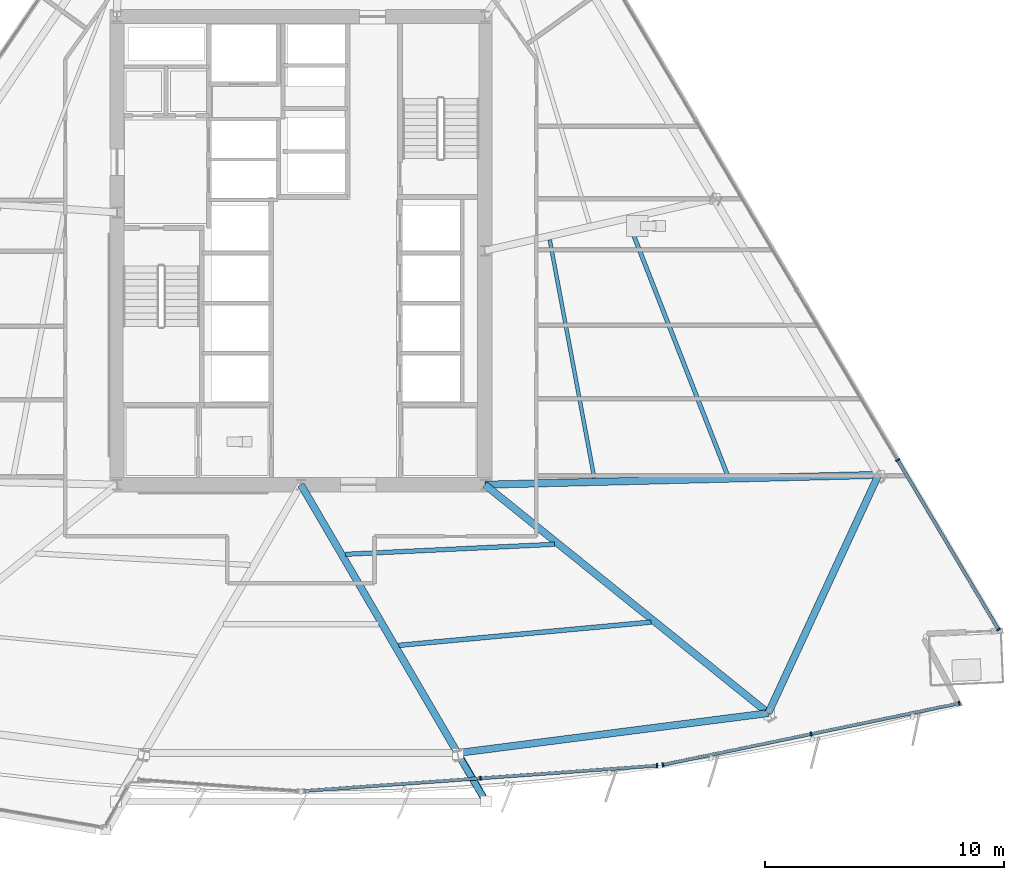
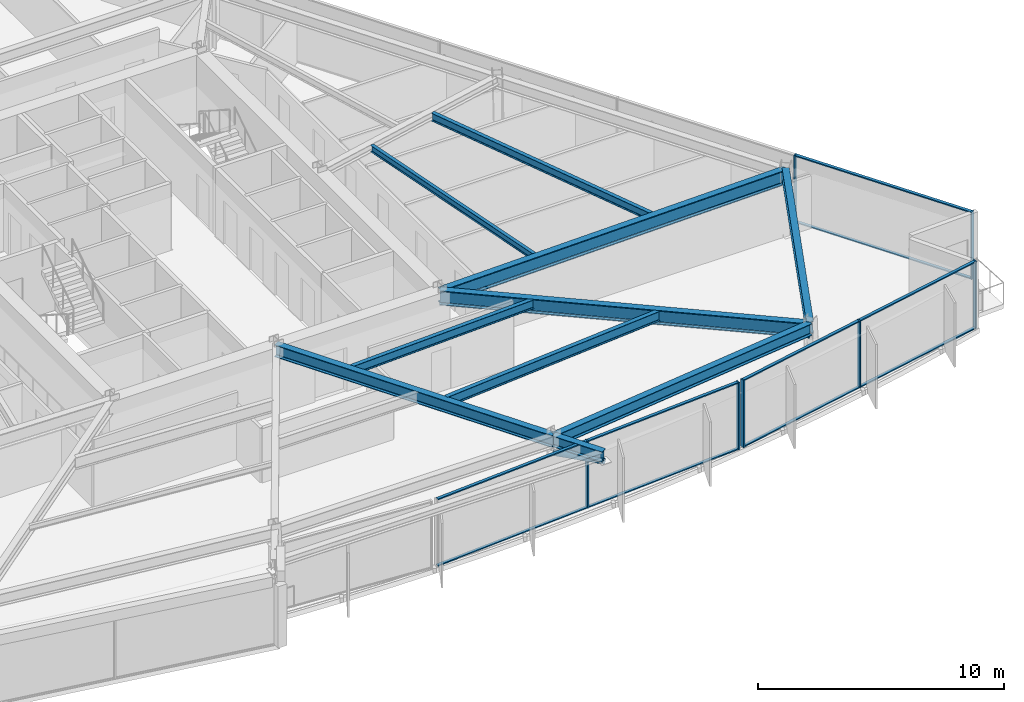
# One storey, part 5 of 17: 18 members, 10 beams, 3 elements without a shape of their own.
"""IFC4 building model written with IfcOpenShell, lengths in metres."""

from ifc_helpers import new_model, si_unit, direction, frame, origin, origin_2d, place, context, subcontext, project, spatial, rectangle, hollow_circle, i_section, extrude, material, material_profile, profile_set, type_object, element, aggregate, save


model = new_model("IFC4")

# Units and contexts
model_context = context("Model", 3, precision=1e-05, world=origin(), true_north=direction((0.0, 1.0)))
body_context = subcontext(model_context, "Body", "Model", "MODEL_VIEW")
ifc_project = project(units=[si_unit("LENGTHUNIT", "METRE"), si_unit("AREAUNIT", "SQUARE_METRE"), si_unit("VOLUMEUNIT", "CUBIC_METRE"), si_unit("PLANEANGLEUNIT", "RADIAN"), si_unit("MASSUNIT", "GRAM", prefix="KILO")], contexts=[model_context])

# Site, building, storey
site_placement = place(None, origin())
site = spatial("IfcSite", under=ifc_project, at=site_placement, CompositionType="ELEMENT")
building_placement = place(site_placement, origin())
building = spatial("IfcBuilding", under=site, at=building_placement, Name="Savorim Split Tower", CompositionType="ELEMENT")
storey_placement = place(building_placement, frame((0.0, 0.0, 62.39990234375)))
storey = spatial("IfcBuildingStorey", under=building, at=storey_placement, Name="L16", CompositionType="ELEMENT", Elevation=62.39990234375)

# Beams
ifc_material_1 = material(Name="Steel S355", Category="steel")
ifc_material_profile_1 = material_profile(ifc_material_1, i_section(OverallWidth=0.159912109375, OverallDepth=0.330078125, WebThickness=0.007568359375, FlangeThickness=0.011474609375, FilletRadius=0.01806640625, at=origin_2d()), Name="IPE 330")
ifc_profile_set_1 = profile_set([ifc_material_profile_1], Name="Steel S355")
beam_type_1 = type_object("IfcBeamType", Name="BM-JST-IPE330", PredefinedType="JOIST", material=ifc_profile_set_1)
beam_1_placement = place(storey_placement, frame((12.284912109375, -9.127685546875, 3.18505859375), z_axis=(-0.183912527902, 0.982942613829, 0.0), x_axis=(-0.982942613829, -0.183912527902, 0.0)))
element("IfcBeam", 1, at=beam_1_placement, inside=storey, type_object=beam_type_1, Name="L16 Secondary Floor Joist JS-08", PredefinedType="JOIST", context=body_context, shape_type="SweptSolid", body=[
    extrude(i_section(OverallWidth=0.159912109375, OverallDepth=0.330078125, WebThickness=0.007568359375, FlangeThickness=0.011474609375, FilletRadius=0.01806640625, at=origin_2d()), origin(), (0.0, 0.0, 1.0), 10.15380859375),
])
ifc_material_profile_2 = material_profile(ifc_material_1, i_section(OverallWidth=0.179931640625, OverallDepth=0.39990234375, WebThickness=0.008544921875, FlangeThickness=0.013427734375, FilletRadius=0.02099609375, at=origin_2d()), Name="IPE 400")
ifc_profile_set_2 = profile_set([ifc_material_profile_2], Name="Steel S355")
beam_type_2 = type_object("IfcBeamType", Name="BM-JST-IPE400", PredefinedType="JOIST", material=ifc_profile_set_2)
beam_2_placement = place(storey_placement, frame((17.859375, -8.99658203125, 3.150146484375), z_axis=(-0.364483455442, 0.931209863945, 0.0), x_axis=(-0.931209863945, -0.364483455442, 0.0)))
element("IfcBeam", 2, at=beam_2_placement, inside=storey, type_object=beam_type_2, Name="L16 Secondary Floor Joist JS-06", PredefinedType="JOIST", context=body_context, shape_type="SweptSolid", body=[
    extrude(i_section(OverallWidth=0.179931640625, OverallDepth=0.39990234375, WebThickness=0.008544921875, FlangeThickness=0.013427734375, FilletRadius=0.02099609375, at=origin_2d()), origin(), (0.0, 0.0, 1.0), 11.38232421875),
])
ifc_material_profile_3 = material_profile(ifc_material_1, i_section(OverallWidth=0.18994140625, OverallDepth=0.449951171875, WebThickness=0.009521484375, FlangeThickness=0.0146484375, FilletRadius=0.02099609375, at=origin_2d()), Name="IPE 450")
ifc_profile_set_3 = profile_set([ifc_material_profile_3], Name="Steel S355")
beam_type_3 = type_object("IfcBeamType", Name="BM-JST-IPE450", PredefinedType="JOIST", material=ifc_profile_set_3)
beam_3_placement = place(storey_placement, frame((1.864990234375, -12.313720703125, 3.125), z_axis=(0.998857216542, 0.047793942727, 0.0), x_axis=(-0.047793942727, 0.998857216542, 0.0)))
element("IfcBeam", 3, at=beam_3_placement, inside=storey, type_object=beam_type_3, Name="L16 Secondary Floor Joist JS-05", PredefinedType="JOIST", context=body_context, shape_type="SweptSolid", body=[
    extrude(i_section(OverallWidth=0.18994140625, OverallDepth=0.449951171875, WebThickness=0.009521484375, FlangeThickness=0.0146484375, FilletRadius=0.02099609375, at=origin_2d()), origin(), (0.0, 0.0, 1.0), 8.770751953125),
])
ifc_material_profile_4 = material_profile(ifc_material_1, i_section(OverallWidth=0.199951171875, OverallDepth=0.5, WebThickness=0.01025390625, FlangeThickness=0.01611328125, FilletRadius=0.02099609375, at=origin_2d()), Name="IPE 500")
ifc_profile_set_4 = profile_set([ifc_material_profile_4], Name="Steel S355")
beam_type_4 = type_object("IfcBeamType", Name="BM-JST-IPE500", PredefinedType="JOIST", material=ifc_profile_set_4)
beam_4_placement = place(storey_placement, frame((4.09423828125, -16.12646484375, 3.10009765625), z_axis=(0.995788453416, 0.091680728851, 0.0), x_axis=(-0.091680728851, 0.995788453416, 0.0)))
element("IfcBeam", 4, at=beam_4_placement, inside=storey, type_object=beam_type_4, Name="L16 Secondary Floor Joist JS-04", PredefinedType="JOIST", context=body_context, shape_type="SweptSolid", body=[
    extrude(i_section(OverallWidth=0.199951171875, OverallDepth=0.5, WebThickness=0.01025390625, FlangeThickness=0.01611328125, FilletRadius=0.02099609375, at=origin_2d()), origin(), (0.0, 0.0, 1.0), 10.61181640625),
])
ifc_material_profile_5 = material_profile(ifc_material_1, i_section(OverallWidth=0.300048828125, OverallDepth=0.550048828125, WebThickness=0.014892578125, FlangeThickness=0.029052734375, FilletRadius=0.027099609375, at=origin_2d()), Name="HEB 550")
ifc_profile_set_5 = profile_set([ifc_material_profile_5], Name="Steel S355")
beam_type_5 = type_object("IfcBeamType", Name="BM-PRI-HEB550", PredefinedType="BEAM", material=ifc_profile_set_5)
beam_5_placement = place(storey_placement, frame((6.55810546875, -20.63525390625, 3.0751953125), z_axis=(0.504161664164, -0.863609296145, 0.0), x_axis=(0.863609296145, 0.504161664164, 0.0)))
element("IfcBeam", 5, at=beam_5_placement, inside=storey, type_object=beam_type_5, Name="L16 Cantilevered Lounge Rib 2", PredefinedType="BEAM", context=body_context, shape_type="SweptSolid", body=[
    extrude(i_section(OverallWidth=0.300048828125, OverallDepth=0.550048828125, WebThickness=0.014892578125, FlangeThickness=0.029052734375, FilletRadius=0.027099609375, at=origin_2d()), origin(), (0.0, 0.0, 1.0), 2.35009765625),
])
ifc_material_profile_6 = material_profile(ifc_material_1, i_section(OverallWidth=0.300048828125, OverallDepth=0.60009765625, WebThickness=0.015380859375, FlangeThickness=0.030029296875, FilletRadius=0.027099609375, at=origin_2d()), Name="HEB 600")
ifc_profile_set_6 = profile_set([ifc_material_profile_6], Name="Steel S355")
beam_type_6 = type_object("IfcBeamType", Name="BM-PRI-HEB600", PredefinedType="BEAM", material=ifc_profile_set_6)
beam_6_placement = place(storey_placement, frame((6.55810546875, -20.63525390625, 3.050048828125), z_axis=(-0.504109041078, 0.863640014534, 0.0), x_axis=(-0.863640014534, -0.504109041078, 0.0)))
element("IfcBeam", 6, at=beam_6_placement, inside=storey, type_object=beam_type_6, Name="L16 Primary Floor Girder RG-03", PredefinedType="BEAM", context=body_context, shape_type="SweptSolid", body=[
    extrude(i_section(OverallWidth=0.300048828125, OverallDepth=0.60009765625, WebThickness=0.015380859375, FlangeThickness=0.030029296875, FilletRadius=0.027099609375, at=origin_2d()), origin(), (0.0, 0.0, 1.0), 13.00927734375),
])
ifc_material_2 = material(Name="Steel S460", Category="steel")
ifc_material_profile_7 = material_profile(ifc_material_2, i_section(OverallWidth=0.303955078125, OverallDepth=0.716064453125, WebThickness=0.02099609375, FlangeThickness=0.0400390625, FilletRadius=0.027099609375, at=origin_2d()), Name="HE 700 M")
ifc_profile_set_7 = profile_set([ifc_material_profile_7], Name="Steel S460")
beam_type_7 = type_object("IfcBeamType", Name="BM-PRI-HEM700", PredefinedType="BEAM", material=ifc_profile_set_7)
beam_7_placement = place(storey_placement, frame((19.567626953125, -18.96484375, 2.9921875), z_axis=(-0.778597819997, 0.627523254307, 0.0), x_axis=(-0.627523254307, -0.778597819997, 0.0)))
element("IfcBeam", 7, at=beam_7_placement, inside=storey, type_object=beam_type_7, Name="L16 Primary Floor Girder RG-04", PredefinedType="BEAM", context=body_context, shape_type="SweptSolid", body=[
    extrude(i_section(OverallWidth=0.303955078125, OverallDepth=0.716064453125, WebThickness=0.02099609375, FlangeThickness=0.0400390625, FilletRadius=0.027099609375, at=origin_2d()), origin(), (0.0, 0.0, 1.0), 15.242431640625),
])
beam_8_placement = place(storey_placement, frame((24.18017578125, -8.989501953125, 2.9921875), z_axis=(-0.999690074474, -0.024894878971, 0.0), x_axis=(0.024894878971, -0.999690074474, 0.0)))
element("IfcBeam", 8, at=beam_8_placement, inside=storey, type_object=beam_type_7, Name="L16 Primary Floor Girder RG-05", PredefinedType="BEAM", context=body_context, shape_type="SweptSolid", body=[
    extrude(i_section(OverallWidth=0.303955078125, OverallDepth=0.716064453125, WebThickness=0.02099609375, FlangeThickness=0.0400390625, FilletRadius=0.027099609375, at=origin_2d()), origin(), (0.0, 0.0, 1.0), 16.4853515625),
])
ifc_material_profile_8 = material_profile(ifc_material_1, i_section(OverallWidth=0.300048828125, OverallDepth=0.590087890625, WebThickness=0.012939453125, FlangeThickness=0.02490234375, FilletRadius=0.027099609375, at=origin_2d()), Name="HEA 600")
ifc_profile_set_8 = profile_set([ifc_material_profile_8], Name="Steel S355")
beam_type_8 = type_object("IfcBeamType", Name="BM-SPN-HEA600", PredefinedType="SPANDREL", material=ifc_profile_set_8)
beam_9_placement = place(storey_placement, frame((6.55810546875, -20.63525390625, 3.05517578125), z_axis=(0.991857386483, 0.127353542859, 0.0), x_axis=(-0.127353542859, 0.991857386483, 0.0)))
element("IfcBeam", 9, at=beam_9_placement, inside=storey, type_object=beam_type_8, Name="L16 Perimeter Spandrel Beam 3", PredefinedType="SPANDREL", context=body_context, shape_type="SweptSolid", body=[
    extrude(i_section(OverallWidth=0.300048828125, OverallDepth=0.590087890625, WebThickness=0.012939453125, FlangeThickness=0.02490234375, FilletRadius=0.027099609375, at=origin_2d()), origin(), (0.0, 0.0, 1.0), 13.1162109375),
])
beam_10_placement = place(storey_placement, frame((19.567626953125, -18.96484375, 3.05517578125), z_axis=(0.419699043394, 0.907663325784, 0.0), x_axis=(-0.907663325784, 0.419699043394, 0.0)))
element("IfcBeam", 10, at=beam_10_placement, inside=storey, type_object=beam_type_8, Name="L16 Perimeter Spandrel Beam 4", PredefinedType="SPANDREL", context=body_context, shape_type="SweptSolid", body=[
    extrude(i_section(OverallWidth=0.300048828125, OverallDepth=0.590087890625, WebThickness=0.012939453125, FlangeThickness=0.02490234375, FilletRadius=0.027099609375, at=origin_2d()), origin(), (0.0, 0.0, 1.0), 10.990234375),
])

# Curtain wall, members
ifc_material_3 = material(Name="Dark Ceramic-Fritted Insulated Glass", Category="glass")
curtain_wall_type = type_object("IfcCurtainWallType", Name="CW-TWR-FRIT-A", PredefinedType="NOTDEFINED", material=ifc_material_3)
curtain_wall_1_placement = place(storey_placement, origin())
curtain_wall_1 = element("IfcCurtainWall", 11, at=curtain_wall_1_placement, inside=storey, type_object=curtain_wall_type, Name="L16 Curtain Wall CW-L16-SF3A", PredefinedType="NOTDEFINED")
ifc_material_4 = material(Name="Charcoal Anodised Aluminium", Category="aluminium")
ifc_material_profile_9 = material_profile(ifc_material_4, rectangle(XDim=0.179931640625, YDim=0.06494140625, at=origin_2d()), Name="ALU-M 180x65")
ifc_profile_set_9 = profile_set([ifc_material_profile_9], Name="Charcoal Anodised Aluminium")
member_type_1 = type_object("IfcMemberType", Name="CWM-180x65", PredefinedType="MULLION", material=ifc_profile_set_9)
member_1_placement = place(storey_placement, frame((7.51708984375, -21.69091796875, 0.0), z_axis=(0.0, 0.0, 1.0), x_axis=(-0.071558708634, 0.99743638956, 0.0)))
member_1 = element("IfcMember", 12, at=member_1_placement, type_object=member_type_1, Name="CW-02 mullion 2", PredefinedType="MULLION", context=body_context, shape_type="SweptSolid", body=[
    extrude(rectangle(XDim=0.179931640625, YDim=0.06494140625, at=origin_2d()), origin(), (0.0, 0.0, 1.0), 3.35009765625),
])
member_2_placement = place(storey_placement, frame((14.910400390625, -21.160400390625, 0.0), z_axis=(0.0, 0.0, 1.0), x_axis=(-0.071558708634, 0.99743638956, 0.0)))
member_2 = element("IfcMember", 13, at=member_2_placement, type_object=member_type_1, Name="CW-02 mullion 3", PredefinedType="MULLION", context=body_context, shape_type="SweptSolid", body=[
    extrude(rectangle(XDim=0.179931640625, YDim=0.06494140625, at=origin_2d()), origin(), (0.0, 0.0, 1.0), 3.35009765625),
])

curtain_wall_2_placement = place(storey_placement, origin())
curtain_wall_2 = element("IfcCurtainWall", 14, at=curtain_wall_2_placement, inside=storey, type_object=curtain_wall_type, Name="L16 Curtain Wall CW-L16-SF4A", PredefinedType="NOTDEFINED")
member_3_placement = place(storey_placement, frame((15.156494140625, -21.126220703125, 0.0), z_axis=(0.0, 0.0, 1.0), x_axis=(-0.203216172809, 0.979133896415, 0.0)))
member_3 = element("IfcMember", 15, at=member_3_placement, type_object=member_type_1, Name="CW-02 mullion 1", PredefinedType="MULLION", context=body_context, shape_type="SweptSolid", body=[
    extrude(rectangle(XDim=0.179931640625, YDim=0.06494140625, at=origin_2d()), origin(), (0.0, 0.0, 1.0), 3.35009765625),
])
member_4_placement = place(storey_placement, frame((21.3603515625, -19.838623046875, 0.0), z_axis=(0.0, 0.0, 1.0), x_axis=(-0.203216172809, 0.979133896415, 0.0)))
member_4 = element("IfcMember", 16, at=member_4_placement, type_object=member_type_1, Name="CW-02 mullion 2", PredefinedType="MULLION", context=body_context, shape_type="SweptSolid", body=[
    extrude(rectangle(XDim=0.179931640625, YDim=0.06494140625, at=origin_2d()), origin(), (0.0, 0.0, 1.0), 3.35009765625),
])
member_5_placement = place(storey_placement, frame((27.564208984375, -18.551025390625, 0.0), z_axis=(0.0, 0.0, 1.0), x_axis=(-0.203216172809, 0.979133896415, 0.0)))
member_5 = element("IfcMember", 17, at=member_5_placement, type_object=member_type_1, Name="CW-02 mullion 3", PredefinedType="MULLION", context=body_context, shape_type="SweptSolid", body=[
    extrude(rectangle(XDim=0.179931640625, YDim=0.06494140625, at=origin_2d()), origin(), (0.0, 0.0, 1.0), 3.35009765625),
])

curtain_wall_3_placement = place(storey_placement, origin())
curtain_wall_3 = element("IfcCurtainWall", 18, at=curtain_wall_3_placement, inside=storey, type_object=curtain_wall_type, Name="L16 Curtain Wall CW-L16-EAST", PredefinedType="NOTDEFINED")
member_6_placement = place(storey_placement, frame((29.2041015625, -15.4658203125, 0.0), z_axis=(0.0, 0.0, 1.0), x_axis=(-0.859525822673, -0.511092320583, 0.0)))
member_6 = element("IfcMember", 19, at=member_6_placement, type_object=member_type_1, Name="CW-02 mullion 1", PredefinedType="MULLION", context=body_context, shape_type="SweptSolid", body=[
    extrude(rectangle(XDim=0.179931640625, YDim=0.06494140625, at=origin_2d()), origin(), (0.0, 0.0, 1.0), 3.35009765625),
])
member_7_placement = place(storey_placement, frame((24.9853515625, -8.371337890625, 0.0), z_axis=(0.0, 0.0, 1.0), x_axis=(-0.859525822673, -0.511092320583, 0.0)))
member_7 = element("IfcMember", 20, at=member_7_placement, type_object=member_type_1, Name="CW-02 mullion 2", PredefinedType="MULLION", context=body_context, shape_type="SweptSolid", body=[
    extrude(rectangle(XDim=0.179931640625, YDim=0.06494140625, at=origin_2d()), origin(), (0.0, 0.0, 1.0), 3.35009765625),
])

# Member
ifc_material_profile_10 = material_profile(ifc_material_4, rectangle(XDim=0.139892578125, YDim=0.054931640625, at=origin_2d()), Name="ALU-T 140x55")
ifc_profile_set_10 = profile_set([ifc_material_profile_10], Name="Charcoal Anodised Aluminium")
member_type_2 = type_object("IfcMemberType", Name="CWT-140x55", PredefinedType="USERDEFINED", material=ifc_profile_set_10)
member_8_placement = place(storey_placement, frame((0.156005859375, -22.218994140625, 0.027587890625), z_axis=(0.997435370197, 0.071572915831, 0.0), x_axis=(-0.071572915831, 0.997435370197, 0.0)))
member_8 = element("IfcMember", 21, at=member_8_placement, type_object=member_type_2, Name="CW-02 transom 1.1", ObjectType="TRANSOM", PredefinedType="USERDEFINED", context=body_context, shape_type="SweptSolid", body=[
    extrude(rectangle(XDim=0.139892578125, YDim=0.054931640625, at=origin_2d()), origin(), (0.0, 0.0, 1.0), 7.347412109375),
])

member_9_placement = place(storey_placement, frame((0.156005859375, -22.218994140625, 3.322509765625), z_axis=(0.997435370197, 0.071572915831, 0.0), x_axis=(-0.071572915831, 0.997435370197, 0.0)))
member_9 = element("IfcMember", 22, at=member_9_placement, type_object=member_type_2, Name="CW-02 transom 1.2", ObjectType="TRANSOM", PredefinedType="USERDEFINED", context=body_context, shape_type="SweptSolid", body=[
    extrude(rectangle(XDim=0.139892578125, YDim=0.054931640625, at=origin_2d()), origin(), (0.0, 0.0, 1.0), 7.347412109375),
])

member_10_placement = place(storey_placement, frame((7.549560546875, -21.6884765625, 0.027587890625), z_axis=(0.997437741774, 0.07153985802, 0.0), x_axis=(-0.07153985802, 0.997437741774, 0.0)))
member_10 = element("IfcMember", 23, at=member_10_placement, type_object=member_type_2, Name="CW-02 transom 2.1", ObjectType="TRANSOM", PredefinedType="USERDEFINED", context=body_context, shape_type="SweptSolid", body=[
    extrude(rectangle(XDim=0.139892578125, YDim=0.054931640625, at=origin_2d()), origin(), (0.0, 0.0, 1.0), 7.347412109375),
])

member_11_placement = place(storey_placement, frame((7.549560546875, -21.6884765625, 3.322509765625), z_axis=(0.997437741774, 0.07153985802, 0.0), x_axis=(-0.07153985802, 0.997437741774, 0.0)))
member_11 = element("IfcMember", 24, at=member_11_placement, type_object=member_type_2, Name="CW-02 transom 2.2", ObjectType="TRANSOM", PredefinedType="USERDEFINED", context=body_context, shape_type="SweptSolid", body=[
    extrude(rectangle(XDim=0.139892578125, YDim=0.054931640625, at=origin_2d()), origin(), (0.0, 0.0, 1.0), 7.347412109375),
])

aggregate(curtain_wall_1, [member_1, member_2, member_8, member_9, member_10, member_11])

member_12_placement = place(storey_placement, frame((15.188232421875, -21.11962890625, 0.027587890625), z_axis=(0.979133983621, 0.203215752634, 0.0), x_axis=(-0.203215752634, 0.979133983621, 0.0)))
member_12 = element("IfcMember", 25, at=member_12_placement, type_object=member_type_2, Name="CW-02 transom 1.1", ObjectType="TRANSOM", PredefinedType="USERDEFINED", context=body_context, shape_type="SweptSolid", body=[
    extrude(rectangle(XDim=0.139892578125, YDim=0.054931640625, at=origin_2d()), origin(), (0.0, 0.0, 1.0), 6.271240234375),
])

member_13_placement = place(storey_placement, frame((15.188232421875, -21.11962890625, 3.322509765625), z_axis=(0.979133983621, 0.203215752634, 0.0), x_axis=(-0.203215752634, 0.979133983621, 0.0)))
member_13 = element("IfcMember", 26, at=member_13_placement, type_object=member_type_2, Name="CW-02 transom 1.2", ObjectType="TRANSOM", PredefinedType="USERDEFINED", context=body_context, shape_type="SweptSolid", body=[
    extrude(rectangle(XDim=0.139892578125, YDim=0.054931640625, at=origin_2d()), origin(), (0.0, 0.0, 1.0), 6.271240234375),
])

member_14_placement = place(storey_placement, frame((21.392333984375, -19.83203125, 0.027587890625), z_axis=(0.979132375842, 0.203223499081, 0.0), x_axis=(-0.203223499081, 0.979132375842, 0.0)))
member_14 = element("IfcMember", 27, at=member_14_placement, type_object=member_type_2, Name="CW-02 transom 2.1", ObjectType="TRANSOM", PredefinedType="USERDEFINED", context=body_context, shape_type="SweptSolid", body=[
    extrude(rectangle(XDim=0.139892578125, YDim=0.054931640625, at=origin_2d()), origin(), (0.0, 0.0, 1.0), 6.27099609375),
])

member_15_placement = place(storey_placement, frame((21.392333984375, -19.83203125, 3.322509765625), z_axis=(0.979132375842, 0.203223499081, 0.0), x_axis=(-0.203223499081, 0.979132375842, 0.0)))
member_15 = element("IfcMember", 28, at=member_15_placement, type_object=member_type_2, Name="CW-02 transom 2.2", ObjectType="TRANSOM", PredefinedType="USERDEFINED", context=body_context, shape_type="SweptSolid", body=[
    extrude(rectangle(XDim=0.139892578125, YDim=0.054931640625, at=origin_2d()), origin(), (0.0, 0.0, 1.0), 6.27099609375),
])

aggregate(curtain_wall_2, [member_3, member_4, member_5, member_12, member_13, member_14, member_15])

member_16_placement = place(storey_placement, frame((29.1875, -15.43798828125, 0.027587890625), z_axis=(-0.511102775567, 0.859519605831, 0.0), x_axis=(-0.859519605831, -0.511102775567, 0.0)))
member_16 = element("IfcMember", 29, at=member_16_placement, type_object=member_type_2, Name="CW-02 transom 1.1", ObjectType="TRANSOM", PredefinedType="USERDEFINED", context=body_context, shape_type="SweptSolid", body=[
    extrude(rectangle(XDim=0.139892578125, YDim=0.054931640625, at=origin_2d()), origin(), (0.0, 0.0, 1.0), 8.189208984375),
])

member_17_placement = place(storey_placement, frame((29.1875, -15.43798828125, 3.322509765625), z_axis=(-0.511102775567, 0.859519605831, 0.0), x_axis=(-0.859519605831, -0.511102775567, 0.0)))
member_17 = element("IfcMember", 30, at=member_17_placement, type_object=member_type_2, Name="CW-02 transom 1.2", ObjectType="TRANSOM", PredefinedType="USERDEFINED", context=body_context, shape_type="SweptSolid", body=[
    extrude(rectangle(XDim=0.139892578125, YDim=0.054931640625, at=origin_2d()), origin(), (0.0, 0.0, 1.0), 8.189208984375),
])

aggregate(curtain_wall_3, [member_6, member_7, member_16, member_17])

ifc_material_profile_11 = material_profile(ifc_material_1, hollow_circle(Radius=0.136474609375, WallThickness=0.01611328125, at=origin_2d()), Name="CHS 273x16")
ifc_profile_set_11 = profile_set([ifc_material_profile_11], Name="Steel S355")
member_type_3 = type_object("IfcMemberType", Name="MBR-CRN-CHS273", PredefinedType="BRACE", material=ifc_profile_set_11)
member_18_placement = place(storey_placement, frame((6.566162109375, -20.675537109375, 2.4501953125), z_axis=(0.502745124775, -0.8498687296, 0.158020511211), x_axis=(0.860682490875, 0.509142072413, 0.0)))
element("IfcMember", 31, at=member_18_placement, inside=storey, type_object=member_type_3, Name="L16 Cantilevered Bay Support Strut 2", PredefinedType="BRACE", context=body_context, shape_type="SweptSolid", body=[
    extrude(hollow_circle(Radius=0.136474609375, WallThickness=0.01611328125, at=origin_2d()), origin(), (0.0, 0.0, 1.0), 2.340576171875),
])

save(model, "model.ifc")
